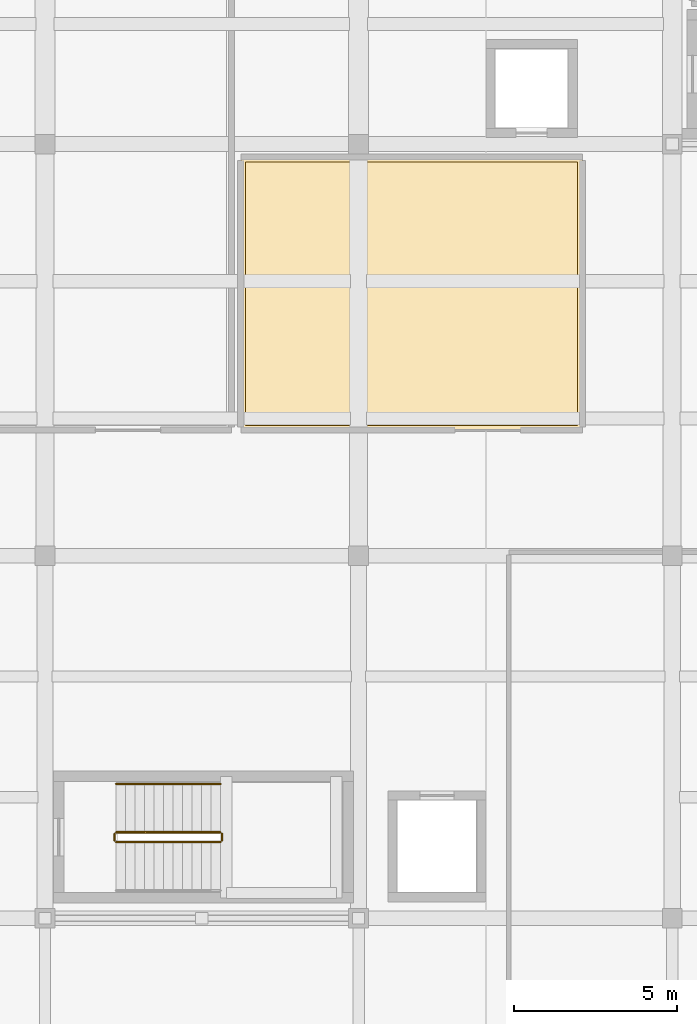
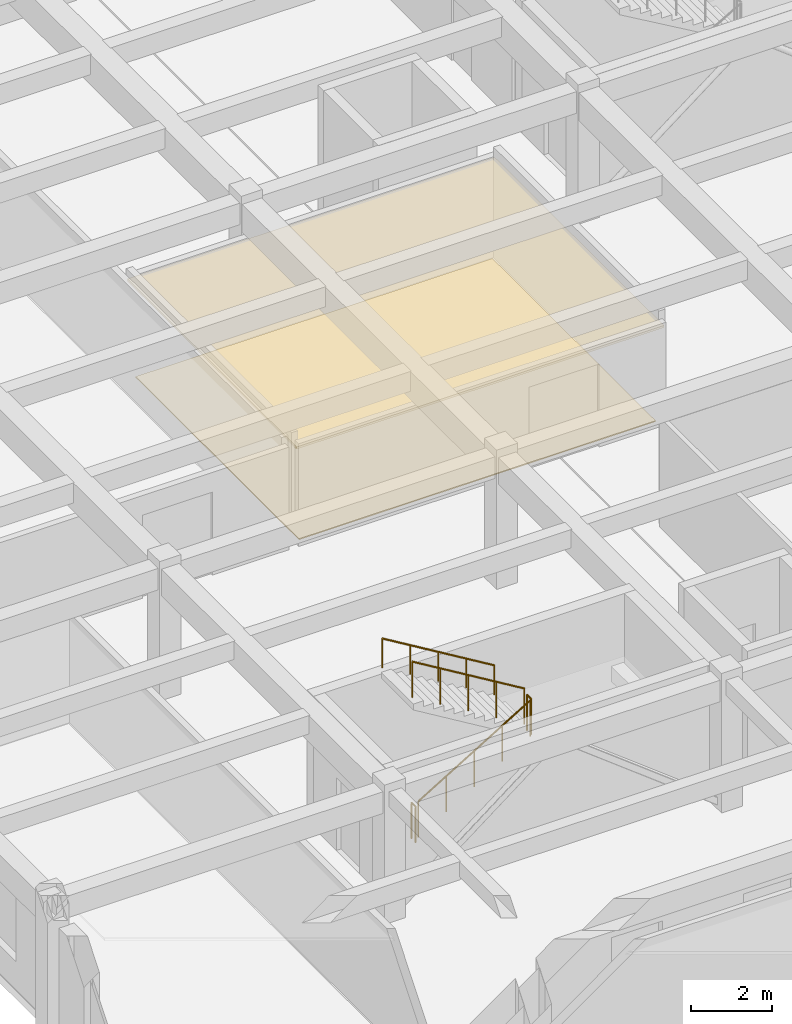
# One storey, part 37 of 46: 5 railings, 2 coverings.
"""IFC4 building model written with IfcOpenShell, lengths in metres."""

from ifc_helpers import new_model, si_unit, direction, frame, origin, origin_2d, place, context, subcontext, project, spatial, polyline, circle, outline, extrude, material, layer, layer_set, type_object, element, save


model = new_model("IFC4")

# Units and contexts
model_context = context("Model", 3, precision=1e-05, world=origin(), true_north=direction((0.0, 1.0)))
body_context = subcontext(model_context, "Body", "Model", "MODEL_VIEW")
ifc_project = project(units=[si_unit("LENGTHUNIT", "METRE"), si_unit("AREAUNIT", "SQUARE_METRE"), si_unit("VOLUMEUNIT", "CUBIC_METRE"), si_unit("PLANEANGLEUNIT", "RADIAN"), si_unit("MASSUNIT", "GRAM", prefix="KILO")], contexts=[model_context])

# Site, building, storey
site_placement = place(None, origin())
site = spatial("IfcSite", under=ifc_project, at=site_placement, CompositionType="ELEMENT")
building_placement = place(site_placement, origin())
building = spatial("IfcBuilding", under=site, at=building_placement, Name="Tarnavel Promenade Courthouse", CompositionType="ELEMENT")
storey_placement = place(building_placement, frame((0.0, 0.0, 14.39990234375)))
storey = spatial("IfcBuildingStorey", under=building, at=storey_placement, Name="L04", CompositionType="ELEMENT", Elevation=14.39990234375)

# Railing
ifc_material_1 = material(Name="Brushed Bronze Tubular Stair Handrail")
railing_type_1 = type_object("IfcRailingType", Name="Brushed Bronze Tubular Stair Handrail (RL-HND-0900)", PredefinedType="HANDRAIL", material=ifc_material_1)
railing_1_placement = place(storey_placement, frame((14.969970703125, 78.510009765625, 2.275146484375)))
element("IfcRailing", 1, at=railing_1_placement, inside=storey, type_object=railing_type_1, Name="L04 ST-04 stair handrail 2", PredefinedType="HANDRAIL", context=body_context, shape_type="SweptSolid", body=[
    extrude(circle(Radius=0.02392578125, at=origin_2d()), frame((0.0, 0.0, 0.8759765625), z_axis=(-0.856177665481, 0.0, 0.516681531633), x_axis=(0.0, -1.0, 0.0)), (0.0, 0.0, 1.0), 3.725830078125),
    extrude(circle(Radius=0.02099609375, at=origin_2d()), origin(), (0.0, 0.0, 1.0), 0.851806640625),
    extrude(circle(Radius=0.02099609375, at=origin_2d()), frame((-0.79736328125, 0.0, 0.481201171875)), (0.0, 0.0, 1.0), 0.851806640625),
    extrude(circle(Radius=0.02099609375, at=origin_2d()), frame((-1.594970703125, 0.0, 0.96240234375)), (0.0, 0.0, 1.0), 0.851806640625),
    extrude(circle(Radius=0.02099609375, at=origin_2d()), frame((-2.392578125, 0.0, 1.44384765625)), (0.0, 0.0, 1.0), 0.851806640625),
    extrude(circle(Radius=0.02099609375, at=origin_2d()), frame((-3.18994140625, 0.0, 1.925048828125)), (0.0, 0.0, 1.0), 0.851806640625),
])

# Covering
ifc_material_2 = material(Name="Engineered Smoked Oak Courtroom & Chambers Parquet")
ifc_layer_1 = layer(ifc_material_2, 0.031982421875)
ifc_layer_set_1 = layer_set([ifc_layer_1], Name="Engineered Smoked Oak Courtroom & Chambers Parquet")
covering_type_1 = type_object("IfcCoveringType", Name="Engineered Smoked Oak Courtroom & Chambers Parquet (COV-FLR-OAK-32)", PredefinedType="FLOORING", material=ifc_layer_set_1)
covering_1_placement = place(storey_placement, origin())
element("IfcCovering", 2, at=covering_1_placement, inside=storey, type_object=covering_type_1, Name="L04 Administrative Law Courtroom B Architectural Flooring 0025", PredefinedType="FLOORING", context=body_context, shape_type="SweptSolid", body=[
    extrude(outline(polyline([(15.743896484375, 89.489990234375), (25.909912109375, 89.489990234375), (25.909912109375, 97.550048828125), (15.743896484375, 97.550048828125), (15.743896484375, 89.489990234375)])), origin(), (0.0, 0.0, 1.0), 0.031982421875),
])

# Railings
ifc_material_3 = material(Name="Painted Architectural Steel Core Stair Guardrail", Category="steel")
railing_type_2 = type_object("IfcRailingType", Name="Painted Architectural Steel Core Stair Guardrail (RL-GRD-1100)", PredefinedType="GUARDRAIL", material=ifc_material_3)
railing_2_placement = place(storey_placement, frame((11.780029296875, 76.72998046875, 0.175048828125)))
element("IfcRailing", 3, at=railing_2_placement, inside=storey, type_object=railing_type_2, Name="L04 ST-04 stair guard 1", PredefinedType="GUARDRAIL", context=body_context, shape_type="SweptSolid", body=[
    extrude(circle(Radius=0.02392578125, at=origin_2d()), frame((0.0, 0.0, 1.076171875), z_axis=(0.856177665481, 0.0, 0.516681531633), x_axis=(0.0, 1.0, 0.0)), (0.0, 0.0, 1.0), 3.725830078125),
    extrude(circle(Radius=0.02099609375, at=origin_2d()), origin(), (0.0, 0.0, 1.0), 1.052001953125),
    extrude(circle(Radius=0.02099609375, at=origin_2d()), frame((0.79736328125, 0.0, 0.481201171875)), (0.0, 0.0, 1.0), 1.052001953125),
    extrude(circle(Radius=0.02099609375, at=origin_2d()), frame((1.594970703125, 0.0, 0.96240234375)), (0.0, 0.0, 1.0), 1.052001953125),
    extrude(circle(Radius=0.02099609375, at=origin_2d()), frame((2.392578125, 0.0, 1.44384765625)), (0.0, 0.0, 1.0), 1.052001953125),
    extrude(circle(Radius=0.02099609375, at=origin_2d()), frame((3.18994140625, 0.0, 1.925048828125)), (0.0, 0.0, 1.0), 1.052001953125),
])
railing_3_placement = place(storey_placement, frame((15.02001953125, 76.780029296875, 2.10009765625)))
element("IfcRailing", 4, at=railing_3_placement, inside=storey, type_object=railing_type_2, Name="L04 ST-04 stair guard 2", PredefinedType="GUARDRAIL", context=body_context, shape_type="SweptSolid", body=[
    extrude(circle(Radius=0.02392578125, at=origin_2d()), frame((0.0, 0.0, 1.076171875), z_axis=(0.0, 1.0, 0.0), x_axis=(-1.0, 0.0, 0.0)), (0.0, 0.0, 1.0), 0.199951171875),
    extrude(circle(Radius=0.02099609375, at=origin_2d()), origin(), (0.0, 0.0, 1.0), 1.052001953125),
    extrude(circle(Radius=0.02099609375, at=origin_2d()), frame((0.0, 0.199951171875, 0.0)), (0.0, 0.0, 1.0), 1.052001953125),
])
railing_4_placement = place(storey_placement, frame((14.969970703125, 77.030029296875, 2.275146484375)))
element("IfcRailing", 5, at=railing_4_placement, inside=storey, type_object=railing_type_2, Name="L04 ST-04 stair guard 3", PredefinedType="GUARDRAIL", context=body_context, shape_type="SweptSolid", body=[
    extrude(circle(Radius=0.02392578125, at=origin_2d()), frame((0.0, 0.0, 1.076171875), z_axis=(-0.856177665481, 0.0, 0.516681531633), x_axis=(0.0, -1.0, 0.0)), (0.0, 0.0, 1.0), 3.725830078125),
    extrude(circle(Radius=0.02099609375, at=origin_2d()), origin(), (0.0, 0.0, 1.0), 1.052001953125),
    extrude(circle(Radius=0.02099609375, at=origin_2d()), frame((-0.79736328125, 0.0, 0.481201171875)), (0.0, 0.0, 1.0), 1.052001953125),
    extrude(circle(Radius=0.02099609375, at=origin_2d()), frame((-1.594970703125, 0.0, 0.96240234375)), (0.0, 0.0, 1.0), 1.052001953125),
    extrude(circle(Radius=0.02099609375, at=origin_2d()), frame((-2.392578125, 0.0, 1.44384765625)), (0.0, 0.0, 1.0), 1.052001953125),
    extrude(circle(Radius=0.02099609375, at=origin_2d()), frame((-3.18994140625, 0.0, 1.925048828125)), (0.0, 0.0, 1.0), 1.052001953125),
])
railing_5_placement = place(storey_placement, frame((11.72998046875, 76.780029296875, 0.0)))
element("IfcRailing", 6, at=railing_5_placement, inside=storey, type_object=railing_type_2, Name="L04 ST-04 stair guard 4", PredefinedType="GUARDRAIL", context=body_context, shape_type="SweptSolid", body=[
    extrude(circle(Radius=0.02392578125, at=origin_2d()), frame((0.0, 0.0, 1.076171875), z_axis=(0.0, 1.0, 0.0), x_axis=(-1.0, 0.0, 0.0)), (0.0, 0.0, 1.0), 0.199951171875),
    extrude(circle(Radius=0.02099609375, at=origin_2d()), origin(), (0.0, 0.0, 1.0), 1.052001953125),
    extrude(circle(Radius=0.02099609375, at=origin_2d()), frame((0.0, 0.199951171875, 0.0)), (0.0, 0.0, 1.0), 1.052001953125),
])

# Covering
ifc_material_4 = material(Name="Slatted Acoustic White Oak Baffle Ceiling")
ifc_layer_2 = layer(ifc_material_4, 0.06494140625)
ifc_layer_set_2 = layer_set([ifc_layer_2], Name="Slatted Acoustic White Oak Baffle Ceiling")
covering_type_2 = type_object("IfcCoveringType", Name="Slatted Acoustic White Oak Baffle Ceiling (COV-CLG-OAK-65)", PredefinedType="CEILING", material=ifc_layer_set_2)
covering_2_placement = place(storey_placement, frame((0.0, 0.0, 2.875)))
element("IfcCovering", 7, at=covering_2_placement, inside=storey, type_object=covering_type_2, Name="L04 Administrative Law Courtroom B Acoustic Ceiling 0025", PredefinedType="CEILING", context=body_context, shape_type="SweptSolid", body=[
    extrude(outline(polyline([(15.593994140625, 89.340087890625), (26.06005859375, 89.340087890625), (26.06005859375, 97.699951171875), (15.593994140625, 97.699951171875), (15.593994140625, 89.340087890625)])), origin(), (0.0, 0.0, 1.0), 0.065185546875),
])

save(model, "model.ifc")
